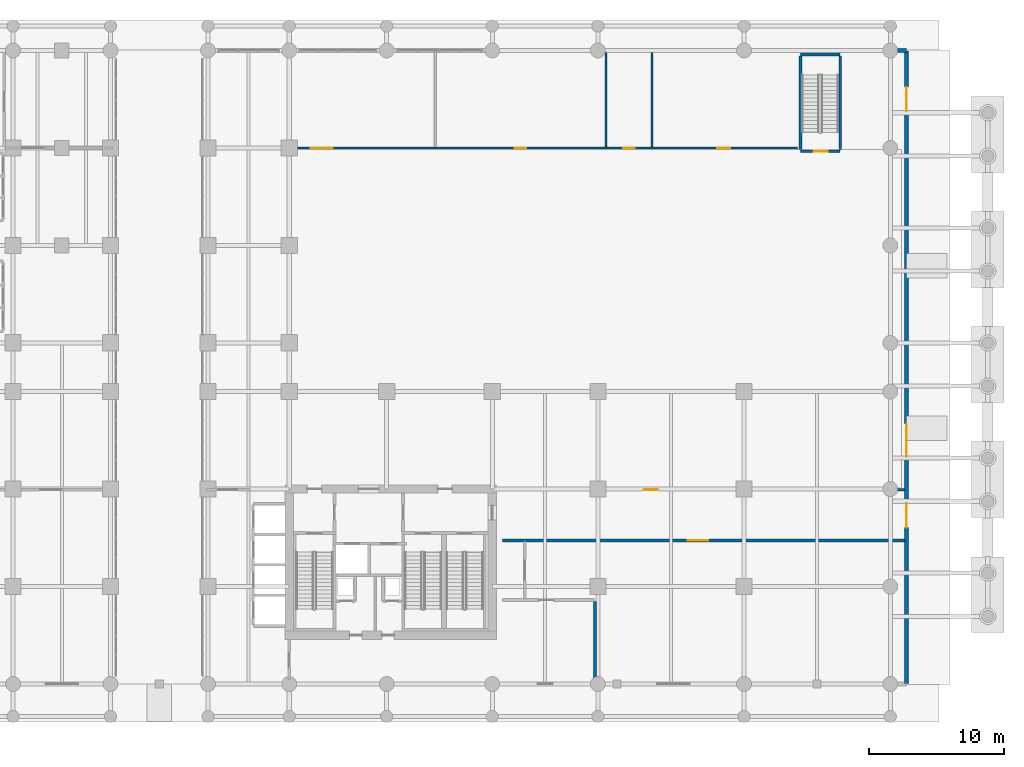
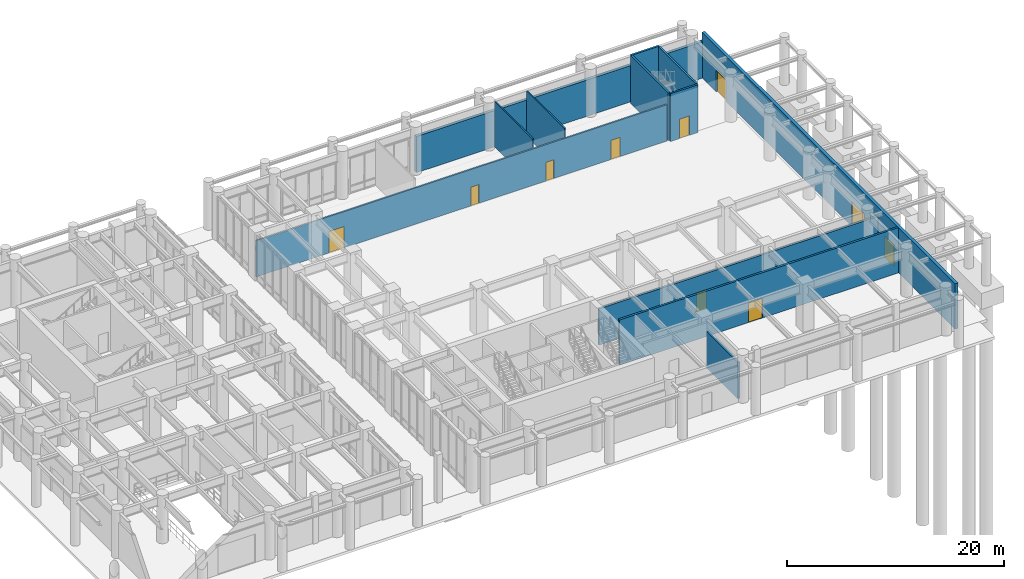
# One storey, part 17 of 23: 12 walls, 10 doors, 10 openings.
"""IFC4 building model written with IfcOpenShell, lengths in metres."""

from ifc_helpers import new_model, si_unit, derived_unit, direction, frame, frame_2d, origin, place, context, subcontext, project, spatial, rectangle, extrude, source, transform, mapped, material, layer, layer_set, type_object, type_shapes, element, fill, save


model = new_model("IFC4")

# Units and contexts
model_context = context("Model", 3, precision=1e-05, world=origin(), true_north=direction((0.0, 1.0)))
body_context = subcontext(model_context, "Body", "Model", "MODEL_VIEW")
ifc_project = project(units=[si_unit("LENGTHUNIT", "METRE"), si_unit("AREAUNIT", "SQUARE_METRE"), si_unit("VOLUMEUNIT", "CUBIC_METRE"), si_unit("PLANEANGLEUNIT", "RADIAN"), si_unit("MASSUNIT", "GRAM", prefix="KILO"), si_unit("THERMODYNAMICTEMPERATUREUNIT", "KELVIN"), si_unit("POWERUNIT", "WATT"), derived_unit("THERMALTRANSMITTANCEUNIT", [(si_unit("POWERUNIT", "WATT"), 1), (si_unit("AREAUNIT", "SQUARE_METRE"), -1), (si_unit("THERMODYNAMICTEMPERATUREUNIT", "KELVIN"), -1)])], contexts=[model_context])

# Site, building, storey
site_placement = place(None, origin())
site = spatial("IfcSite", under=ifc_project, at=site_placement, CompositionType="ELEMENT")
building_placement = place(site_placement, origin())
building = spatial("IfcBuilding", under=site, at=building_placement, Name="Zahravan Archway Hotel and Residences", CompositionType="ELEMENT")
storey_placement = place(building_placement, origin())
storey = spatial("IfcBuildingStorey", under=building, at=storey_placement, Name="L00", CompositionType="ELEMENT", Elevation=0.0)

# Wall, openings, doors
ifc_material_1 = material(Name="Agra Buff Sandstone & Insulated Backup", Category="masonry")
ifc_layer_1 = layer(ifc_material_1, 0.320068359375, Name="Agra Buff Sandstone & Insulated Backup", Category="masonry")
ifc_layer_set_1 = layer_set([ifc_layer_1], Name="Agra Buff Sandstone & Insulated Backup")
wall_type_1 = type_object("IfcWallType", Name="EW-SAND-320", PredefinedType="SOLIDWALL", material=ifc_layer_set_1)
wall_1_placement = place(storey_placement, frame((80.39990234375, 0.050048828125, 0.0), z_axis=(0.0, 0.0, 1.0), x_axis=(0.0, 1.0, 0.0)))
wall_1 = element("IfcWall", 1, at=wall_1_placement, inside=storey, type_object=wall_type_1, Name="L00 Podium Sandstone E Wall", PredefinedType="SOLIDWALL", context=body_context, shape_type="SweptSolid", body=[
    extrude(rectangle(XDim=46.699951171875, YDim=0.320068359375, at=frame_2d((23.35009765625, 0.0))), origin(), (0.0, 0.0, 1.0), 5.10009765625),
])
opening_1_placement = place(wall_1_placement, frame((11.5, 0.0, 0.0)))
opening_1 = element("IfcOpeningElement", 2, at=opening_1_placement, cuts=wall_1, Name="Opening ED-X2", PredefinedType="OPENING", context=body_context, shape_type="SweptSolid", body=[
    extrude(rectangle(XDim=1.800048828125, YDim=2.39990234375, at=frame_2d((0.89990234375, 1.199951171875))), frame((0.0, 0.169921875, 0.0), z_axis=(0.0, -1.0, 0.0), x_axis=(1.0, 0.0, 0.0)), (0.0, 0.0, 1.0), 0.340087890625),
])
opening_2_placement = place(wall_1_placement, frame((16.75, 0.0, 0.0)))
opening_2 = element("IfcOpeningElement", 3, at=opening_2_placement, cuts=wall_1, Name="Opening ED-M1", PredefinedType="OPENING", context=body_context, shape_type="SweptSolid", body=[
    extrude(rectangle(XDim=2.39990234375, YDim=2.800048828125, at=frame_2d((1.199951171875, 1.39990234375))), frame((0.0, 0.169921875, 0.0), z_axis=(0.0, -1.0, 0.0), x_axis=(1.0, 0.0, 0.0)), (0.0, 0.0, 1.0), 0.340087890625),
])
opening_3_placement = place(wall_1_placement, frame((42.25, 0.0, 0.0)))
opening_3 = element("IfcOpeningElement", 4, at=opening_3_placement, cuts=wall_1, Name="Opening ED-X2", PredefinedType="OPENING", context=body_context, shape_type="SweptSolid", body=[
    extrude(rectangle(XDim=1.800048828125, YDim=2.39990234375, at=frame_2d((0.89990234375, 1.199951171875))), frame((0.0, 0.169921875, 0.0), z_axis=(0.0, -1.0, 0.0), x_axis=(1.0, 0.0, 0.0)), (0.0, 0.0, 1.0), 0.340087890625),
])
ifc_material_2 = material(Name="Bronze-Anodized Glazed Aluminium", Category="aluminium")
door_type_1 = type_object("IfcDoorType", Name="ED-ENTRY-2400", OperationType="DOUBLE_DOOR_SINGLE_SWING", PredefinedType="DOOR", material=ifc_material_2)
shared_shape_1 = source(origin(), body_context, "Body", "SweptSolid", [
    extrude(rectangle(XDim=2.39990234375, YDim=2.800048828125, at=frame_2d((1.199951171875, 1.39990234375))), frame((0.0, 0.02490234375, 0.0), z_axis=(0.0, -1.0, 0.0), x_axis=(1.0, 0.0, 0.0)), (0.0, 0.0, 1.0), 0.050048828125),
])
type_shapes(door_type_1, [shared_shape_1])
door_1_placement = place(opening_2_placement, frame((2.39990234375, 0.0, 0.0), z_axis=(0.0, 0.0, 1.0), x_axis=(-1.0, 0.0, 0.0)))
door_1 = element("IfcDoor", 5, at=door_1_placement, inside=storey, type_object=door_type_1, Name="L00 East Porte-Cochere Concourse Doors", OperationType="DOUBLE_DOOR_SINGLE_SWING", OverallHeight=2.800048828125, OverallWidth=2.39990234375, PredefinedType="DOOR", context=body_context, shape_type="MappedRepresentation", body=[
    mapped(shared_shape_1, transform((0.0, 0.0, 0.0), scale=1.0)),
])
fill(opening_2, door_1)
ifc_material_3 = material(Name="Fire-Rated Painted Steel", Category="steel")
door_type_2 = type_object("IfcDoorType", Name="ED-EXIT-1800", OperationType="DOUBLE_DOOR_SINGLE_SWING", PredefinedType="DOOR", material=ifc_material_3)
shared_shape_2 = source(origin(), body_context, "Body", "SweptSolid", [
    extrude(rectangle(XDim=1.800048828125, YDim=2.39990234375, at=frame_2d((0.89990234375, 1.199951171875))), frame((0.0, 0.02490234375, 0.0), z_axis=(0.0, -1.0, 0.0), x_axis=(1.0, 0.0, 0.0)), (0.0, 0.0, 1.0), 0.050048828125),
])
type_shapes(door_type_2, [shared_shape_2])
door_2_placement = place(opening_1_placement, frame((1.800048828125, 0.0, 0.0), z_axis=(0.0, 0.0, 1.0), x_axis=(-1.0, 0.0, 0.0)))
door_2 = element("IfcDoor", 6, at=door_2_placement, inside=storey, type_object=door_type_2, Name="L00 Core A East Protected Exit Discharge Doors", OperationType="DOUBLE_DOOR_SINGLE_SWING", OverallHeight=2.39990234375, OverallWidth=1.800048828125, PredefinedType="DOOR", context=body_context, shape_type="MappedRepresentation", body=[
    mapped(shared_shape_2, transform((0.0, 0.0, 0.0), scale=1.0)),
])
fill(opening_1, door_2)
door_3_placement = place(opening_3_placement, frame((1.800048828125, 0.0, 0.0), z_axis=(0.0, 0.0, 1.0), x_axis=(-1.0, 0.0, 0.0)))
door_3 = element("IfcDoor", 7, at=door_3_placement, inside=storey, type_object=door_type_2, Name="L00 East Stair ST-P1 Exit Discharge Doors", OperationType="DOUBLE_DOOR_SINGLE_SWING", OverallHeight=2.39990234375, OverallWidth=1.800048828125, PredefinedType="DOOR", context=body_context, shape_type="MappedRepresentation", body=[
    mapped(shared_shape_2, transform((0.0, 0.0, 0.0), scale=1.0)),
])
fill(opening_3, door_3)

# Wall
wall_2_placement = place(storey_placement, frame((49.800048828125, 46.800048828125, 0.0), z_axis=(0.0, 0.0, 1.0), x_axis=(1.0, 0.0, 0.0)))
element("IfcWall", 8, at=wall_2_placement, inside=storey, type_object=wall_type_1, Name="L00 Podium Sandstone NE Wall", PredefinedType="SOLIDWALL", context=body_context, shape_type="SweptSolid", body=[
    extrude(rectangle(XDim=30.599853515625, YDim=0.320068359375, at=frame_2d((15.2998046875, 0.0))), origin(), (0.0, 0.0, 1.0), 4.0849609375),
])

# Wall, opening, door
ifc_material_4 = material(Name="Fire-Rated Gypsum & Concrete Block", Category="concrete")
ifc_layer_2 = layer(ifc_material_4, 0.219970703125, Name="Fire-Rated Gypsum & Concrete Block", Category="concrete")
ifc_layer_set_2 = layer_set([ifc_layer_2], Name="Fire-Rated Gypsum & Concrete Block")
wall_type_2 = type_object("IfcWallType", Name="PW-COMP-220", PredefinedType="PARTITIONING", material=ifc_layer_set_2)
wall_3_placement = place(storey_placement, frame((50.5400390625, 10.60009765625, 0.0), z_axis=(0.0, 0.0, 1.0), x_axis=(1.0, 0.0, 0.0)))
wall_3 = element("IfcWall", 9, at=wall_3_placement, inside=storey, type_object=wall_type_2, Name="L00 Partition L0-EPAS", PredefinedType="PARTITIONING", context=body_context, shape_type="SweptSolid", body=[
    extrude(rectangle(XDim=29.69189453125, YDim=0.219970703125, at=frame_2d((14.845947265625, 0.0))), origin(), (0.0, 0.0, 1.0), 5.10009765625),
])
opening_4_placement = place(wall_3_placement, frame((13.7099609375, 0.0, 0.0)))
opening_4 = element("IfcOpeningElement", 10, at=opening_4_placement, cuts=wall_3, Name="Opening FD-L1", PredefinedType="OPENING", context=body_context, shape_type="SweptSolid", body=[
    extrude(rectangle(XDim=1.5, YDim=2.199951171875, at=frame_2d((0.75, 1.10009765625))), frame((0.0, 0.1201171875, 0.0), z_axis=(0.0, -1.0, 0.0), x_axis=(1.0, 0.0, 0.0)), (0.0, 0.0, 1.0), 0.239990234375),
])
door_type_3 = type_object("IfcDoorType", Name="FD-LOBBY-1500", OperationType="DOUBLE_DOOR_SINGLE_SWING", PredefinedType="DOOR", material=ifc_material_3)
shared_shape_3 = source(origin(), body_context, "Body", "SweptSolid", [
    extrude(rectangle(XDim=1.5, YDim=2.199951171875, at=frame_2d((0.75, 1.10009765625))), frame((0.0, 0.02490234375, 0.0), z_axis=(0.0, -1.0, 0.0), x_axis=(1.0, 0.0, 0.0)), (0.0, 0.0, 1.0), 0.050048828125),
])
type_shapes(door_type_3, [shared_shape_3])
door_4_placement = place(opening_4_placement, origin())
door_4 = element("IfcDoor", 11, at=door_4_placement, inside=storey, type_object=door_type_3, Name="L00 Residence Lobby to Exit Passage Door", OperationType="DOUBLE_DOOR_SINGLE_SWING", OverallHeight=2.199951171875, OverallWidth=1.5, PredefinedType="DOOR", context=body_context, shape_type="MappedRepresentation", body=[
    mapped(shared_shape_3, transform((0.0, 0.0, 0.0), scale=1.0)),
])
fill(opening_4, door_4)

wall_4_placement = place(storey_placement, frame((50.5400390625, 14.35009765625, 0.0), z_axis=(0.0, 0.0, 1.0), x_axis=(1.0, 0.0, 0.0)))
wall_4 = element("IfcWall", 12, at=wall_4_placement, inside=storey, type_object=wall_type_2, Name="L00 Partition L0-EPAN", PredefinedType="PARTITIONING", context=body_context, shape_type="SweptSolid", body=[
    extrude(rectangle(XDim=29.69189453125, YDim=0.219970703125, at=frame_2d((14.845947265625, 0.0))), origin(), (0.0, 0.0, 1.0), 4.0849609375),
])
opening_5_placement = place(wall_4_placement, frame((10.43505859375, 0.0, 0.0)))
opening_5 = element("IfcOpeningElement", 13, at=opening_5_placement, cuts=wall_4, Name="Opening FD-L2", PredefinedType="OPENING", context=body_context, shape_type="SweptSolid", body=[
    extrude(rectangle(XDim=1.050048828125, YDim=2.14990234375, at=frame_2d((0.52490234375, 1.074951171875))), frame((0.0, 0.1201171875, 0.0), z_axis=(0.0, -1.0, 0.0), x_axis=(1.0, 0.0, 0.0)), (0.0, 0.0, 1.0), 0.239990234375),
])
door_type_4 = type_object("IfcDoorType", Name="FD-LOBBY-1100", OperationType="NOTDEFINED", PredefinedType="DOOR", material=ifc_material_3)
shared_shape_4 = source(origin(), body_context, "Body", "SweptSolid", [
    extrude(rectangle(XDim=1.050048828125, YDim=2.14990234375, at=frame_2d((0.52490234375, 1.074951171875))), frame((0.0, 0.02490234375, 0.0), z_axis=(0.0, -1.0, 0.0), x_axis=(1.0, 0.0, 0.0)), (0.0, 0.0, 1.0), 0.050048828125),
])
type_shapes(door_type_4, [shared_shape_4])
door_5_placement = place(opening_5_placement, frame((1.050048828125, 0.0, 0.0), z_axis=(0.0, 0.0, 1.0), x_axis=(-1.0, 0.0, 0.0)))
door_5 = element("IfcDoor", 14, at=door_5_placement, inside=storey, type_object=door_type_4, Name="L00 East Exit Passage Concourse Door", OperationType="SINGLE_SWING_RIGHT", OverallHeight=2.14990234375, OverallWidth=1.050048828125, PredefinedType="DOOR", context=body_context, shape_type="MappedRepresentation", body=[
    mapped(shared_shape_4, transform((0.0, 0.0, 0.0), scale=1.0)),
])
fill(opening_5, door_5)

# Wall
wall_5_placement = place(storey_placement, frame((57.39990234375, 0.389892578125, 0.0), z_axis=(0.0, 0.0, 1.0), x_axis=(0.0, 1.0, 0.0)))
element("IfcWall", 15, at=wall_5_placement, inside=storey, type_object=wall_type_2, Name="L00 Partition L0-FCCE", PredefinedType="PARTITIONING", context=body_context, shape_type="SweptSolid", body=[
    extrude(rectangle(XDim=5.72021484375, YDim=0.219970703125, at=frame_2d((2.860107421875, 0.0))), origin(), (0.0, 0.0, 1.0), 4.0849609375),
])

# Wall, openings, doors
ifc_layer_3 = layer(ifc_material_4, 0.159912109375, Name="Fire-Rated Gypsum & Concrete Block", Category="concrete")
ifc_layer_set_3 = layer_set([ifc_layer_3], Name="Fire-Rated Gypsum & Concrete Block")
wall_type_3 = type_object("IfcWallType", Name="PW-CORR-160", PredefinedType="PARTITIONING", material=ifc_layer_set_3)
wall_6_placement = place(storey_placement, frame((28.639892578125, 39.60009765625, 0.0), z_axis=(0.0, 0.0, 1.0), x_axis=(1.0, 0.0, 0.0)))
wall_6 = element("IfcWall", 16, at=wall_6_placement, inside=storey, type_object=wall_type_3, Name="L00 Partition L0-NTH", PredefinedType="PARTITIONING", context=body_context, shape_type="SweptSolid", body=[
    extrude(rectangle(XDim=43.72021484375, YDim=0.159912109375, at=frame_2d((21.860107421875, 0.0))), origin(), (0.0, 0.0, 1.0), 4.0849609375),
])
opening_6_placement = place(wall_6_placement, frame((7.760009765625, 0.0, 0.0)))
opening_6 = element("IfcOpeningElement", 17, at=opening_6_placement, cuts=wall_6, Name="Opening D-P2", PredefinedType="OPENING", context=body_context, shape_type="SweptSolid", body=[
    extrude(rectangle(XDim=1.60009765625, YDim=2.39990234375, at=frame_2d((0.800048828125, 1.199951171875))), frame((0.0, 0.08984375, 0.0), z_axis=(0.0, -1.0, 0.0), x_axis=(1.0, 0.0, 0.0)), (0.0, 0.0, 1.0), 0.179931640625),
])
opening_7_placement = place(wall_6_placement, frame((22.8349609375, 0.0, 0.0)))
opening_7 = element("IfcOpeningElement", 18, at=opening_7_placement, cuts=wall_6, Name="Opening D-B1", PredefinedType="OPENING", context=body_context, shape_type="SweptSolid", body=[
    extrude(rectangle(XDim=0.85009765625, YDim=2.10009765625, at=frame_2d((0.425048828125, 1.050048828125))), frame((0.0, 0.08984375, 0.0), z_axis=(0.0, -1.0, 0.0), x_axis=(1.0, 0.0, 0.0)), (0.0, 0.0, 1.0), 0.179931640625),
])
opening_8_placement = place(wall_6_placement, frame((30.8349609375, 0.0, 0.0)))
opening_8 = element("IfcOpeningElement", 19, at=opening_8_placement, cuts=wall_6, Name="Opening D-B1", PredefinedType="OPENING", context=body_context, shape_type="SweptSolid", body=[
    extrude(rectangle(XDim=0.85009765625, YDim=2.10009765625, at=frame_2d((0.425048828125, 1.050048828125))), frame((0.0, 0.08984375, 0.0), z_axis=(0.0, -1.0, 0.0), x_axis=(1.0, 0.0, 0.0)), (0.0, 0.0, 1.0), 0.179931640625),
])
opening_9_placement = place(wall_6_placement, frame((37.784912109375, 0.0, 0.0)))
opening_9 = element("IfcOpeningElement", 20, at=opening_9_placement, cuts=wall_6, Name="Opening D-I1", PredefinedType="OPENING", context=body_context, shape_type="SweptSolid", body=[
    extrude(rectangle(XDim=0.949951171875, YDim=2.14990234375, at=frame_2d((0.47509765625, 1.074951171875))), frame((0.0, 0.08984375, 0.0), z_axis=(0.0, -1.0, 0.0), x_axis=(1.0, 0.0, 0.0)), (0.0, 0.0, 1.0), 0.179931640625),
])
door_type_5 = type_object("IfcDoorType", Name="ID-PUBLIC-1600", OperationType="DOUBLE_DOOR_SINGLE_SWING", PredefinedType="DOOR", material=ifc_material_2)
shared_shape_5 = source(origin(), body_context, "Body", "SweptSolid", [
    extrude(rectangle(XDim=1.60009765625, YDim=2.39990234375, at=frame_2d((0.800048828125, 1.199951171875))), frame((0.0, 0.02490234375, 0.0), z_axis=(0.0, -1.0, 0.0), x_axis=(1.0, 0.0, 0.0)), (0.0, 0.0, 1.0), 0.050048828125),
])
type_shapes(door_type_5, [shared_shape_5])
door_6_placement = place(opening_6_placement, origin())
door_6 = element("IfcDoor", 21, at=door_6_placement, inside=storey, type_object=door_type_5, Name="L00 Concourse Cafe Door", OperationType="DOUBLE_DOOR_SINGLE_SWING", OverallHeight=2.39990234375, OverallWidth=1.60009765625, PredefinedType="DOOR", context=body_context, shape_type="MappedRepresentation", body=[
    mapped(shared_shape_5, transform((0.0, 0.0, 0.0), scale=1.0)),
])
fill(opening_6, door_6)
ifc_material_5 = material(Name="Hardwood Veneer Timber", Category="wood")
door_type_6 = type_object("IfcDoorType", Name="ID-BATH-850", OperationType="NOTDEFINED", PredefinedType="DOOR", material=ifc_material_5)
shared_shape_6 = source(origin(), body_context, "Body", "SweptSolid", [
    extrude(rectangle(XDim=0.85009765625, YDim=2.10009765625, at=frame_2d((0.425048828125, 1.050048828125))), frame((0.0, 0.02490234375, 0.0), z_axis=(0.0, -1.0, 0.0), x_axis=(1.0, 0.0, 0.0)), (0.0, 0.0, 1.0), 0.050048828125),
])
type_shapes(door_type_6, [shared_shape_6])
door_7_placement = place(opening_7_placement, origin())
door_7 = element("IfcDoor", 22, at=door_7_placement, inside=storey, type_object=door_type_6, Name="L00 Public Restrooms Door", OperationType="SINGLE_SWING_LEFT", OverallHeight=2.10009765625, OverallWidth=0.85009765625, PredefinedType="DOOR", context=body_context, shape_type="MappedRepresentation", body=[
    mapped(shared_shape_6, transform((0.0, 0.0, 0.0), scale=1.0)),
])
fill(opening_7, door_7)
door_8_placement = place(opening_8_placement, origin())
door_8 = element("IfcDoor", 23, at=door_8_placement, inside=storey, type_object=door_type_6, Name="L00 Accessible WC Door", OperationType="SINGLE_SWING_RIGHT", OverallHeight=2.10009765625, OverallWidth=0.85009765625, PredefinedType="DOOR", context=body_context, shape_type="MappedRepresentation", body=[
    mapped(shared_shape_6, transform((0.0, 0.0, 0.0), scale=1.0)),
])
fill(opening_8, door_8)
door_type_7 = type_object("IfcDoorType", Name="ID-INT-950", OperationType="NOTDEFINED", PredefinedType="DOOR", material=ifc_material_5)
shared_shape_7 = source(origin(), body_context, "Body", "SweptSolid", [
    extrude(rectangle(XDim=0.949951171875, YDim=2.14990234375, at=frame_2d((0.47509765625, 1.074951171875))), frame((0.0, 0.02490234375, 0.0), z_axis=(0.0, -1.0, 0.0), x_axis=(1.0, 0.0, 0.0)), (0.0, 0.0, 1.0), 0.050048828125),
])
type_shapes(door_type_7, [shared_shape_7])
door_9_placement = place(opening_9_placement, origin())
door_9 = element("IfcDoor", 24, at=door_9_placement, inside=storey, type_object=door_type_7, Name="L00 Family Nursing Suite Door", OperationType="SINGLE_SWING_LEFT", OverallHeight=2.14990234375, OverallWidth=0.949951171875, PredefinedType="DOOR", context=body_context, shape_type="MappedRepresentation", body=[
    mapped(shared_shape_7, transform((0.0, 0.0, 0.0), scale=1.0)),
])
fill(opening_9, door_9)

# Walls
ifc_material_6 = material(Name="Moisture-Resistant Blockwork", Category="masonry")
ifc_layer_4 = layer(ifc_material_6, 0.139892578125, Name="Moisture-Resistant Blockwork", Category="masonry")
ifc_layer_set_4 = layer_set([ifc_layer_4], Name="Moisture-Resistant Blockwork")
wall_type_4 = type_object("IfcWallType", Name="PW-WET-140", PredefinedType="PARTITIONING", material=ifc_layer_set_4)
for number, where, z_axis, x_axis, name in (
    (25, (58.199951171875, 39.68994140625, 0.0), (0.0, 0.0, 1.0), (0.0, 1.0, 0.0), "L00 Partition L0-ND1"),
    (26, (61.60009765625, 39.68994140625, 0.0), (0.0, 0.0, 1.0), (0.0, 1.0, 0.0), "L00 Partition L0-ND2"),
):
    element("IfcWall", number, at=place(storey_placement, frame(where, z_axis=z_axis, x_axis=x_axis)), inside=storey, type_object=wall_type_4, Name=name, PredefinedType="PARTITIONING", context=body_context, shape_type="SweptSolid", body=[
        extrude(rectangle(XDim=6.942138671875, YDim=0.139892578125, at=frame_2d((3.47119140625, 0.0))), origin(), (0.0, 0.0, 1.0), 5.10009765625),
    ])
ifc_material_7 = material(Name="Concrete C50/60", Category="concrete")
ifc_layer_5 = layer(ifc_material_7, 0.199951171875, Name="Concrete C50/60", Category="concrete")
ifc_layer_set_5 = layer_set([ifc_layer_5], Name="Concrete C50/60")
wall_type_5 = type_object("IfcWallType", Name="SW-STAIR-200", PredefinedType="SHEAR", material=ifc_layer_set_5)
for number, where, z_axis, x_axis, name in (
    (27, (72.56005859375, 39.469970703125, 0.0), (0.0, 0.0, 1.0), (0.0, 1.0, 0.0), "L00 Stairwell RC Wall SP1-W"),
    (28, (75.5, 39.469970703125, 0.0), (0.0, 0.0, 1.0), (0.0, 1.0, 0.0), "L00 Stairwell RC Wall SP1-E"),
):
    element("IfcWall", number, at=place(storey_placement, frame(where, z_axis=z_axis, x_axis=x_axis)), inside=storey, type_object=wall_type_5, Name=name, PredefinedType="SHEAR", context=body_context, shape_type="SweptSolid", body=[
        extrude(rectangle(XDim=6.909912109375, YDim=0.199951171875, at=frame_2d((3.455078125, 0.0))), origin(), (0.0, 0.0, 1.0), 5.39990234375),
    ])
wall_7_placement = place(storey_placement, frame((72.56005859375, 46.5, 0.0), z_axis=(0.0, 0.0, 1.0), x_axis=(1.0, 0.0, 0.0)))
element("IfcWall", 29, at=wall_7_placement, inside=storey, type_object=wall_type_5, Name="L00 Stairwell RC Wall SP1-N", PredefinedType="SHEAR", context=body_context, shape_type="SweptSolid", body=[
    extrude(rectangle(XDim=2.93994140625, YDim=0.199951171875, at=frame_2d((1.469970703125, 0.0))), origin(), (0.0, 0.0, 1.0), 5.39990234375),
])

# Wall, opening, door
wall_8_placement = place(storey_placement, frame((72.56005859375, 39.35009765625, 0.0), z_axis=(0.0, 0.0, 1.0), x_axis=(1.0, 0.0, 0.0)))
wall_8 = element("IfcWall", 30, at=wall_8_placement, inside=storey, type_object=wall_type_5, Name="L00 Stairwell RC Wall SP1-S", PredefinedType="SHEAR", context=body_context, shape_type="SweptSolid", body=[
    extrude(rectangle(XDim=2.93994140625, YDim=0.199951171875, at=frame_2d((1.469970703125, 0.0))), origin(), (0.0, 0.0, 1.0), 5.39990234375),
])
opening_10_placement = place(wall_8_placement, frame((0.985107421875, 0.0, 0.0)))
opening_10 = element("IfcOpeningElement", 31, at=opening_10_placement, cuts=wall_8, Name="Opening FD-S1", PredefinedType="OPENING", context=body_context, shape_type="SweptSolid", body=[
    extrude(rectangle(XDim=1.050048828125, YDim=2.199951171875, at=frame_2d((0.52490234375, 1.10009765625))), frame((0.0, 0.10986328125, 0.0), z_axis=(0.0, -1.0, 0.0), x_axis=(1.0, 0.0, 0.0)), (0.0, 0.0, 1.0), 0.219970703125),
])
door_type_8 = type_object("IfcDoorType", Name="FD-STAIR-1100", OperationType="NOTDEFINED", PredefinedType="DOOR", material=ifc_material_3)
shared_shape_8 = source(origin(), body_context, "Body", "SweptSolid", [
    extrude(rectangle(XDim=1.050048828125, YDim=2.199951171875, at=frame_2d((0.52490234375, 1.10009765625))), frame((0.0, 0.02490234375, 0.0), z_axis=(0.0, -1.0, 0.0), x_axis=(1.0, 0.0, 0.0)), (0.0, 0.0, 1.0), 0.050048828125),
])
type_shapes(door_type_8, [shared_shape_8])
door_10_placement = place(opening_10_placement, origin())
door_10 = element("IfcDoor", 32, at=door_10_placement, inside=storey, type_object=door_type_8, Name="L00 Stair ST-P1 Door", OperationType="SINGLE_SWING_LEFT", OverallHeight=2.199951171875, OverallWidth=1.050048828125, PredefinedType="DOOR", context=body_context, shape_type="MappedRepresentation", body=[
    mapped(shared_shape_8, transform((0.0, 0.0, 0.0), scale=1.0)),
])
fill(opening_10, door_10)

save(model, "model.ifc")
